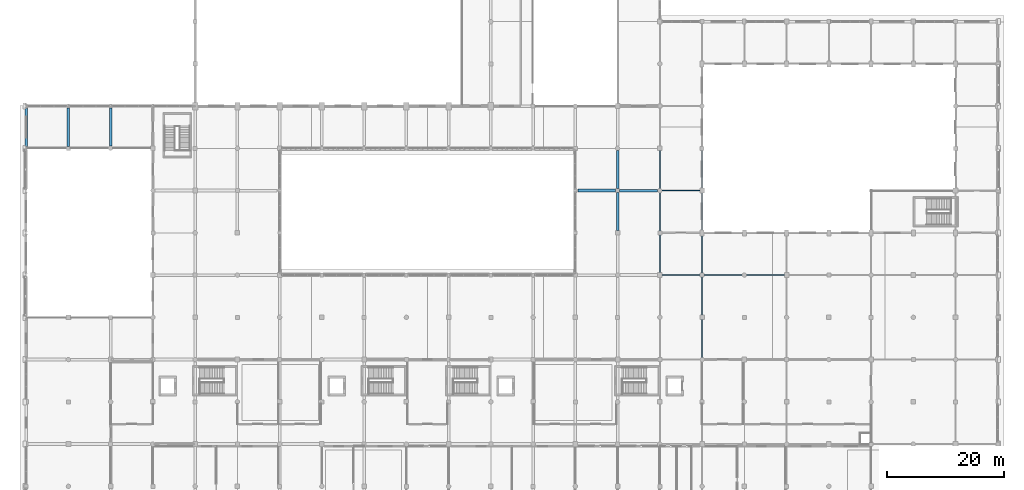
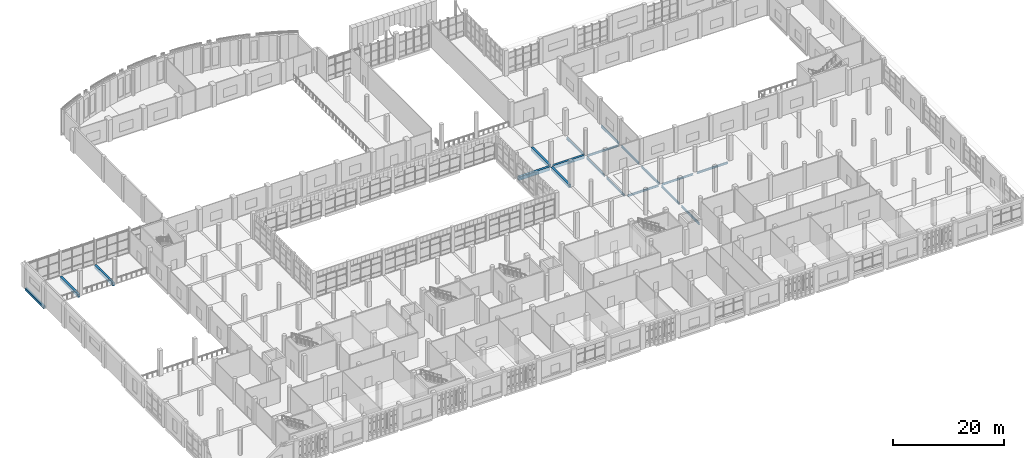
# One storey, part 20 of 80: 19 beams.
"""IFC4 building model written with IfcOpenShell, lengths in metres."""

from ifc_helpers import new_model, si_unit, direction, frame, origin, origin_2d, place, context, subcontext, project, spatial, rectangle, i_section, extrude, material, material_profile, profile_set, type_object, element, save


model = new_model("IFC4")

# Units and contexts
model_context = context("Model", 3, precision=1e-05, world=origin(), true_north=direction((0.0, 1.0)))
body_context = subcontext(model_context, "Body", "Model", "MODEL_VIEW")
ifc_project = project(units=[si_unit("LENGTHUNIT", "METRE"), si_unit("AREAUNIT", "SQUARE_METRE"), si_unit("VOLUMEUNIT", "CUBIC_METRE"), si_unit("PLANEANGLEUNIT", "RADIAN"), si_unit("MASSUNIT", "GRAM", prefix="KILO")], contexts=[model_context])

# Site, building, storey
site_placement = place(None, origin())
site = spatial("IfcSite", under=ifc_project, at=site_placement, CompositionType="ELEMENT")
building_placement = place(site_placement, origin())
building = spatial("IfcBuilding", under=site, at=building_placement, Name="Sardonyx Promenade Sports Hall", CompositionType="ELEMENT")
storey_placement = place(building_placement, frame((0.0, 0.0, 5.60009765625)))
storey = spatial("IfcBuildingStorey", under=building, at=storey_placement, Name="L01", CompositionType="ELEMENT", Elevation=5.60009765625)

# Beams
ifc_material_1 = material(Name="Concrete C40/50", Category="concrete")
ifc_material_profile_1 = material_profile(ifc_material_1, rectangle(XDim=0.5, YDim=0.75, at=origin_2d()))
ifc_profile_set_1 = profile_set([ifc_material_profile_1], Name="Concrete C40/50")
beam_type_1 = type_object("IfcBeamType", Name="Bm_Girder_RC750", PredefinedType="BEAM", material=ifc_profile_set_1)
beam_1_placement = place(storey_placement, frame((94.050048828125, 57.60009765625, -0.375), z_axis=(1.0, 0.0, 0.0), x_axis=(0.0, 1.0, 0.0)))
element("IfcBeam", 1, at=beam_1_placement, inside=storey, type_object=beam_type_1, Name="Beam BG02 L01 #254", PredefinedType="BEAM", context=body_context, shape_type="SweptSolid", body=[
    extrude(rectangle(XDim=0.5, YDim=0.75, at=origin_2d()), origin(), (0.0, 0.0, 1.0), 6.39990234375),
])
ifc_material_2 = material(Name="Steel S355JR", Category="steel")
ifc_material_profile_2 = material_profile(ifc_material_2, i_section(OverallWidth=0.18994140625, OverallDepth=0.453369140625, WebThickness=0.008544921875, FlangeThickness=0.0126953125, at=origin_2d()))
ifc_profile_set_2 = profile_set([ifc_material_profile_2], Name="Steel S355JR")
beam_type_2 = type_object("IfcBeamType", Name="Bm_Girder_UB457", PredefinedType="BEAM", material=ifc_profile_set_2)
beam_2_placement = place(storey_placement, frame((108.39990234375, 43.199951171875, -0.516845703125), z_axis=(1.0, 0.0, 0.0), x_axis=(0.0, 1.0, 0.0)))
element("IfcBeam", 2, at=beam_2_placement, inside=storey, type_object=beam_type_2, Name="Beam SB01 L01 #243", PredefinedType="BEAM", context=body_context, shape_type="SweptSolid", body=[
    extrude(i_section(OverallWidth=0.18994140625, OverallDepth=0.453369140625, WebThickness=0.008544921875, FlangeThickness=0.0126953125, at=origin_2d()), origin(), (0.0, 0.0, 1.0), 6.4501953125),
])
beam_3_placement = place(storey_placement, frame((115.550048828125, 43.199951171875, -0.516845703125), z_axis=(1.0, 0.0, 0.0), x_axis=(0.0, 1.0, 0.0)))
element("IfcBeam", 3, at=beam_3_placement, inside=storey, type_object=beam_type_2, Name="Beam SB01 L01 #244", PredefinedType="BEAM", context=body_context, shape_type="SweptSolid", body=[
    extrude(i_section(OverallWidth=0.18994140625, OverallDepth=0.453369140625, WebThickness=0.008544921875, FlangeThickness=0.0126953125, at=origin_2d()), origin(), (0.0, 0.0, 1.0), 6.474853515625),
])
for number, where, z_axis, x_axis, name in (
    (4, (122.77490234375, 43.199951171875, -0.516845703125), (1.0, 0.0, 0.0), (0.0, 1.0, 0.0), "Beam SB01 L01 #245"),
    (5, (108.375, 57.60009765625, -0.44677734375), (1.0, 0.0, 0.0), (0.0, 1.0, 0.0), "Beam SB01 L01 #256"),
):
    element("IfcBeam", number, at=place(storey_placement, frame(where, z_axis=z_axis, x_axis=x_axis)), inside=storey, type_object=beam_type_2, Name=name, PredefinedType="BEAM", context=body_context, shape_type="SweptSolid", body=[
        extrude(i_section(OverallWidth=0.18994140625, OverallDepth=0.453369140625, WebThickness=0.008544921875, FlangeThickness=0.0126953125, at=origin_2d()), origin(), (0.0, 0.0, 1.0), 6.425048828125),
    ])
ifc_material_3 = material(Name="Steel S355JR", Category="steel")
ifc_material_profile_3 = material_profile(ifc_material_3, i_section(OverallWidth=0.199951171875, OverallDepth=0.5, WebThickness=0.01025390625, FlangeThickness=0.01611328125, at=origin_2d()))
ifc_profile_set_3 = profile_set([ifc_material_profile_3], Name="Steel S355JR")
beam_type_3 = type_object("IfcBeamType", Name="Bm_Primary_IPE500", PredefinedType="BEAM", material=ifc_profile_set_3)
beam_4_placement = place(storey_placement, frame((108.0, 43.60009765625, -0.5400390625), z_axis=(0.0, 1.0, 0.0), x_axis=(-1.0, 0.0, 0.0)))
element("IfcBeam", 6, at=beam_4_placement, inside=storey, type_object=beam_type_3, Name="Beam SB06 L01 #384", PredefinedType="BEAM", context=body_context, shape_type="SweptSolid", body=[
    extrude(i_section(OverallWidth=0.199951171875, OverallDepth=0.5, WebThickness=0.01025390625, FlangeThickness=0.01611328125, at=origin_2d()), origin(), (0.0, 0.0, 1.0), 6.449951171875),
])
beam_5_placement = place(storey_placement, frame((108.0, 50.75, -0.5400390625), z_axis=(0.0, 1.0, 0.0), x_axis=(-1.0, 0.0, 0.0)))
element("IfcBeam", 7, at=beam_5_placement, inside=storey, type_object=beam_type_3, Name="Beam SB06 L01 #385", PredefinedType="BEAM", context=body_context, shape_type="SweptSolid", body=[
    extrude(i_section(OverallWidth=0.199951171875, OverallDepth=0.5, WebThickness=0.01025390625, FlangeThickness=0.01611328125, at=origin_2d()), origin(), (0.0, 0.0, 1.0), 6.47509765625),
])
beam_6_placement = place(storey_placement, frame((108.0, 57.97509765625, -0.5400390625), z_axis=(0.0, 1.0, 0.0), x_axis=(-1.0, 0.0, 0.0)))
element("IfcBeam", 8, at=beam_6_placement, inside=storey, type_object=beam_type_3, Name="Beam SB06 L01 #386", PredefinedType="BEAM", context=body_context, shape_type="SweptSolid", body=[
    extrude(i_section(OverallWidth=0.199951171875, OverallDepth=0.5, WebThickness=0.01025390625, FlangeThickness=0.01611328125, at=origin_2d()), origin(), (0.0, 0.0, 1.0), 6.4248046875),
])
beam_7_placement = place(storey_placement, frame((115.199951171875, 29.175048828125, -0.5400390625), z_axis=(0.0, 1.0, 0.0), x_axis=(-1.0, 0.0, 0.0)))
element("IfcBeam", 9, at=beam_7_placement, inside=storey, type_object=beam_type_3, Name="Beam SB06 L01 #396", PredefinedType="BEAM", context=body_context, shape_type="SweptSolid", body=[
    extrude(i_section(OverallWidth=0.199951171875, OverallDepth=0.5, WebThickness=0.01025390625, FlangeThickness=0.01611328125, at=origin_2d()), origin(), (0.0, 0.0, 1.0), 6.425048828125),
])
beam_8_placement = place(storey_placement, frame((115.199951171875, 36.39990234375, -0.5400390625), z_axis=(0.0, 1.0, 0.0), x_axis=(-1.0, 0.0, 0.0)))
element("IfcBeam", 10, at=beam_8_placement, inside=storey, type_object=beam_type_3, Name="Beam SB06 L01 #397", PredefinedType="BEAM", context=body_context, shape_type="SweptSolid", body=[
    extrude(i_section(OverallWidth=0.199951171875, OverallDepth=0.5, WebThickness=0.01025390625, FlangeThickness=0.01611328125, at=origin_2d()), origin(), (0.0, 0.0, 1.0), 6.4501953125),
])
beam_9_placement = place(storey_placement, frame((115.199951171875, 43.550048828125, -0.5400390625), z_axis=(0.0, 1.0, 0.0), x_axis=(-1.0, 0.0, 0.0)))
element("IfcBeam", 11, at=beam_9_placement, inside=storey, type_object=beam_type_3, Name="Beam SB06 L01 #398", PredefinedType="BEAM", context=body_context, shape_type="SweptSolid", body=[
    extrude(i_section(OverallWidth=0.199951171875, OverallDepth=0.5, WebThickness=0.01025390625, FlangeThickness=0.01611328125, at=origin_2d()), origin(), (0.0, 0.0, 1.0), 6.39990234375),
])
beam_10_placement = place(storey_placement, frame((115.199951171875, 50.85009765625, -0.47021484375), z_axis=(0.0, 1.0, 0.0), x_axis=(-1.0, 0.0, 0.0)))
element("IfcBeam", 12, at=beam_10_placement, inside=storey, type_object=beam_type_3, Name="Beam SB06 L01 #399", PredefinedType="BEAM", context=body_context, shape_type="SweptSolid", body=[
    extrude(i_section(OverallWidth=0.199951171875, OverallDepth=0.5, WebThickness=0.01025390625, FlangeThickness=0.01611328125, at=origin_2d()), origin(), (0.0, 0.0, 1.0), 6.349853515625),
])
beam_11_placement = place(storey_placement, frame((115.199951171875, 58.0, -0.47021484375), z_axis=(0.0, 1.0, 0.0), x_axis=(-1.0, 0.0, 0.0)))
element("IfcBeam", 13, at=beam_11_placement, inside=storey, type_object=beam_type_3, Name="Beam SB06 L01 #400", PredefinedType="BEAM", context=body_context, shape_type="SweptSolid", body=[
    extrude(i_section(OverallWidth=0.199951171875, OverallDepth=0.5, WebThickness=0.01025390625, FlangeThickness=0.01611328125, at=origin_2d()), origin(), (0.0, 0.0, 1.0), 6.449951171875),
])
ifc_material_4 = material(Name="Concrete C40/50", Category="concrete")
ifc_material_profile_4 = material_profile(ifc_material_4, rectangle(XDim=0.449951171875, YDim=0.699951171875, at=origin_2d()))
ifc_profile_set_4 = profile_set([ifc_material_profile_4], Name="Concrete C40/50")
beam_type_4 = type_object("IfcBeamType", Name="Bm_Primary_RC700", PredefinedType="BEAM", material=ifc_profile_set_4)
beam_12_placement = place(storey_placement, frame((101.14990234375, 57.60009765625, -0.35009765625), z_axis=(1.0, 0.0, 0.0), x_axis=(0.0, 1.0, 0.0)))
element("IfcBeam", 14, at=beam_12_placement, inside=storey, type_object=beam_type_4, Name="Beam BG01 L01 #255", PredefinedType="BEAM", context=body_context, shape_type="SweptSolid", body=[
    extrude(rectangle(XDim=0.449951171875, YDim=0.699951171875, at=origin_2d()), origin(), (0.0, 0.0, 1.0), 6.47509765625),
])
beam_13_placement = place(storey_placement, frame((7.199951171875, 65.14990234375, -0.35009765625), z_axis=(0.0, 1.0, 0.0), x_axis=(-1.0, 0.0, 0.0)))
element("IfcBeam", 15, at=beam_13_placement, inside=storey, type_object=beam_type_4, Name="Beam BG01 L01 #297", PredefinedType="BEAM", context=body_context, shape_type="SweptSolid", body=[
    extrude(rectangle(XDim=0.449951171875, YDim=0.699951171875, at=origin_2d()), origin(), (0.0, 0.0, 1.0), 6.55517578125),
])
beam_14_placement = place(storey_placement, frame((14.39990234375, 65.175048828125, -0.35009765625), z_axis=(0.0, 1.0, 0.0), x_axis=(-1.0, 0.0, 0.0)))
element("IfcBeam", 16, at=beam_14_placement, inside=storey, type_object=beam_type_4, Name="Beam BG01 L01 #303", PredefinedType="BEAM", context=body_context, shape_type="SweptSolid", body=[
    extrude(rectangle(XDim=0.449951171875, YDim=0.699951171875, at=origin_2d()), origin(), (0.0, 0.0, 1.0), 6.530029296875),
])
beam_15_placement = place(storey_placement, frame((100.800048828125, 50.800048828125, -0.35009765625), z_axis=(0.0, 1.0, 0.0), x_axis=(-1.0, 0.0, 0.0)))
element("IfcBeam", 17, at=beam_15_placement, inside=storey, type_object=beam_type_4, Name="Beam BG01 L01 #375", PredefinedType="BEAM", context=body_context, shape_type="SweptSolid", body=[
    extrude(rectangle(XDim=0.449951171875, YDim=0.699951171875, at=origin_2d()), origin(), (0.0, 0.0, 1.0), 6.449951171875),
])
beam_16_placement = place(storey_placement, frame((100.800048828125, 57.949951171875, -0.35009765625), z_axis=(0.0, 1.0, 0.0), x_axis=(-1.0, 0.0, 0.0)))
element("IfcBeam", 18, at=beam_16_placement, inside=storey, type_object=beam_type_4, Name="Beam BG01 L01 #376", PredefinedType="BEAM", context=body_context, shape_type="SweptSolid", body=[
    extrude(rectangle(XDim=0.449951171875, YDim=0.699951171875, at=origin_2d()), origin(), (0.0, 0.0, 1.0), 6.47509765625),
])
ifc_material_5 = material(Name="Concrete C40/50", Category="concrete")
ifc_material_profile_5 = material_profile(ifc_material_5, rectangle(XDim=0.39990234375, YDim=0.60009765625, at=origin_2d()))
ifc_profile_set_5 = profile_set([ifc_material_profile_5], Name="Concrete C40/50")
beam_type_5 = type_object("IfcBeamType", Name="Bm_Spandrel_RC600", PredefinedType="SPANDREL", material=ifc_profile_set_5)
beam_17_placement = place(storey_placement, frame((0.0, 65.094970703125, -0.300048828125), z_axis=(0.0, 1.0, 0.0), x_axis=(-1.0, 0.0, 0.0)))
element("IfcBeam", 19, at=beam_17_placement, inside=storey, type_object=beam_type_5, Name="Beam SPB1 L01 #296", PredefinedType="SPANDREL", context=body_context, shape_type="SweptSolid", body=[
    extrude(rectangle(XDim=0.39990234375, YDim=0.60009765625, at=origin_2d()), origin(), (0.0, 0.0, 1.0), 6.610107421875),
])

save(model, "model.ifc")
